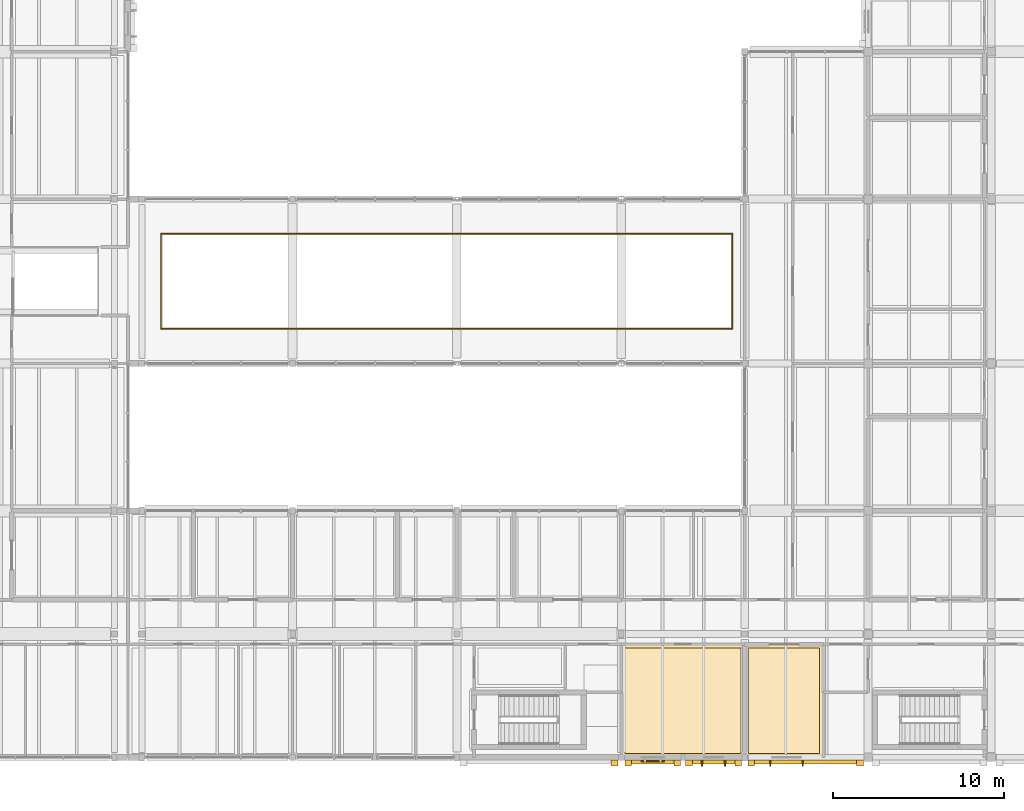
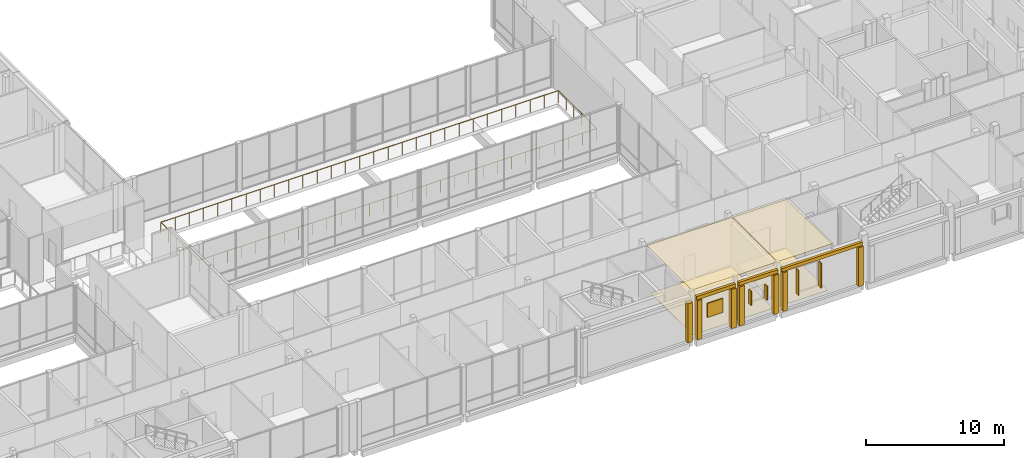
# One storey, part 138 of 146: 14 coverings, 5 shading devices, 1 railing.
"""IFC4 building model written with IfcOpenShell, lengths in metres."""

from ifc_helpers import new_model, si_unit, direction, frame, origin, origin_2d, place, context, subcontext, project, spatial, polyline, rectangle, circle, outline, extrude, material, layer, layer_set, type_object, element, save


model = new_model("IFC4")

# Units and contexts
model_context = context("Model", 3, precision=1e-05, world=origin(), true_north=direction((0.0, 1.0)))
body_context = subcontext(model_context, "Body", "Model", "MODEL_VIEW")
ifc_project = project(units=[si_unit("LENGTHUNIT", "METRE"), si_unit("AREAUNIT", "SQUARE_METRE"), si_unit("VOLUMEUNIT", "CUBIC_METRE"), si_unit("PLANEANGLEUNIT", "RADIAN"), si_unit("MASSUNIT", "GRAM", prefix="KILO")], contexts=[model_context])

# Site, building, storey
site_placement = place(None, origin())
site = spatial("IfcSite", under=ifc_project, at=site_placement, CompositionType="ELEMENT")
building_placement = place(site_placement, origin())
building = spatial("IfcBuilding", under=site, at=building_placement, Name="Hawrajan Terrace Health Centre", CompositionType="ELEMENT")
storey_placement = place(building_placement, frame((0.0, 0.0, 4.5)))
storey = spatial("IfcBuildingStorey", under=building, at=storey_placement, Name="L01", CompositionType="ELEMENT", Elevation=4.5)

# Coverings
ifc_material_1 = material(Name="Precast concrete C40/50", Category="concrete")
ifc_layer_1 = layer(ifc_material_1, 0.219970703125)
ifc_layer_set_1 = layer_set([ifc_layer_1], Name="Precast concrete C40/50")
covering_type_1 = type_object("IfcCoveringType", Name="ArtDecoCorniceBand", PredefinedType="CLADDING", material=ifc_layer_set_1)
covering_1_placement = place(storey_placement, frame((102.429931640625, 3.929931640625, 3.48974609375), z_axis=(0.0, 0.0, 1.0), x_axis=(1.0, 0.0, 0.0)))
element("IfcCovering", 1, at=covering_1_placement, inside=storey, type_object=covering_type_1, Name="Art Deco limestone cornice band CRN-L01-0081", PredefinedType="CLADDING", context=body_context, shape_type="SweptSolid", body=[
    extrude(rectangle(XDim=3.260009765625, YDim=0.219970703125, at=origin_2d()), origin(), (0.0, 0.0, 1.0), 0.300048828125),
])
covering_2_placement = place(storey_placement, frame((105.97998046875, 3.929931640625, 3.48974609375), z_axis=(0.0, 0.0, 1.0), x_axis=(1.0, 0.0, 0.0)))
element("IfcCovering", 2, at=covering_2_placement, inside=storey, type_object=covering_type_1, Name="Art Deco limestone cornice band CRN-L01-0082", PredefinedType="CLADDING", context=body_context, shape_type="SweptSolid", body=[
    extrude(rectangle(XDim=3.280029296875, YDim=0.219970703125, at=origin_2d()), origin(), (0.0, 0.0, 1.0), 0.300048828125),
])
covering_3_placement = place(storey_placement, frame((111.35498046875, 3.93994140625, 3.4501953125), z_axis=(0.0, 0.0, 1.0), x_axis=(1.0, 0.0, 0.0)))
element("IfcCovering", 3, at=covering_3_placement, inside=storey, type_object=covering_type_1, Name="Art Deco limestone cornice band CRN-L01-0083", PredefinedType="CLADDING", context=body_context, shape_type="SweptSolid", body=[
    extrude(rectangle(XDim=6.75, YDim=0.219970703125, at=origin_2d()), origin(), (0.0, 0.0, 1.0), 0.300048828125),
])
ifc_layer_2 = layer(ifc_material_1, 0.340087890625)
ifc_layer_set_2 = layer_set([ifc_layer_2], Name="Precast concrete C40/50")
covering_type_2 = type_object("IfcCoveringType", Name="ArtDecoStonePilaster", PredefinedType="CLADDING", material=ifc_layer_set_2)
for number, where, z_axis, x_axis, name in (
    (4, (100.199951171875, 3.8798828125, 0.0), (0.0, 0.0, 1.0), (1.0, 0.0, 0.0), "Art Deco fluted limestone pilaster FPIL-L01-0139"),
    (5, (101.0, 3.8701171875, 0.0), (0.0, 0.0, 1.0), (1.0, 0.0, 0.0), "Art Deco fluted limestone pilaster FPIL-L01-0140"),
    (6, (103.860107421875, 3.8701171875, 0.0), (0.0, 0.0, 1.0), (1.0, 0.0, 0.0), "Art Deco fluted limestone pilaster FPIL-L01-0141"),
    (7, (104.5400390625, 3.8701171875, 0.0), (0.0, 0.0, 1.0), (1.0, 0.0, 0.0), "Art Deco fluted limestone pilaster FPIL-L01-0142"),
    (8, (107.419921875, 3.8701171875, 0.0), (0.0, 0.0, 1.0), (1.0, 0.0, 0.0), "Art Deco fluted limestone pilaster FPIL-L01-0143"),
):
    element("IfcCovering", number, at=place(storey_placement, frame(where, z_axis=z_axis, x_axis=x_axis)), inside=storey, type_object=covering_type_2, Name=name, PredefinedType="CLADDING", context=body_context, shape_type="SweptSolid", body=[
        extrude(rectangle(XDim=0.39990234375, YDim=0.340087890625, at=origin_2d()), origin(), (0.0, 0.0, 1.0), 3.47998046875),
    ])
for number, where, z_axis, x_axis, name in (
    (9, (108.179931640625, 3.8798828125, 0.0), (0.0, 0.0, 1.0), (1.0, 0.0, 0.0), "Art Deco fluted limestone pilaster FPIL-L01-0144"),
    (10, (114.530029296875, 3.8798828125, 0.0), (0.0, 0.0, 1.0), (1.0, 0.0, 0.0), "Art Deco fluted limestone pilaster FPIL-L01-0145"),
):
    element("IfcCovering", number, at=place(storey_placement, frame(where, z_axis=z_axis, x_axis=x_axis)), inside=storey, type_object=covering_type_2, Name=name, PredefinedType="CLADDING", context=body_context, shape_type="SweptSolid", body=[
        extrude(rectangle(XDim=0.39990234375, YDim=0.340087890625, at=origin_2d()), origin(), (0.0, 0.0, 1.0), 3.43994140625),
    ])

# Railing
ifc_material_2 = material(Name="Anodized bronze and laminated glass balustrade", Category="glass")
railing_type = type_object("IfcRailingType", Name="AtriumBalustrade_1120", PredefinedType="BALUSTRADE", material=ifc_material_2)
railing_placement = place(storey_placement, frame((73.719970703125, 29.219970703125, 0.0)))
element("IfcRailing", 11, at=railing_placement, inside=storey, type_object=railing_type, Name="Waiting Hall atrium gallery balustrade 2", PredefinedType="BALUSTRADE", context=body_context, shape_type="SweptSolid", body=[
    extrude(circle(Radius=0.02392578125, at=origin_2d()), frame((0.02880859375, 0.0, 1.09619140625), z_axis=(1.0, 0.0, 0.0), x_axis=(0.0, 1.0, 0.0)), (0.0, 0.0, 1.0), 33.302490234375),
    extrude(circle(Radius=0.02392578125, at=origin_2d()), frame((33.360107421875, 0.02880859375, 1.09619140625), z_axis=(0.0, 1.0, 0.0), x_axis=(-1.0, 0.0, 0.0)), (0.0, 0.0, 1.0), 5.50244140625),
    extrude(circle(Radius=0.02392578125, at=origin_2d()), frame((33.331298828125, 5.56005859375, 1.09619140625), z_axis=(-1.0, 0.0, 0.0), x_axis=(0.0, -1.0, 0.0)), (0.0, 0.0, 1.0), 33.302490234375),
    extrude(circle(Radius=0.02392578125, at=origin_2d()), frame((0.0, 5.53125, 1.09619140625), z_axis=(0.0, -1.0, 0.0), x_axis=(1.0, 0.0, 0.0)), (0.0, 0.0, 1.0), 5.50244140625),
    extrude(circle(Radius=0.02099609375, at=origin_2d()), origin(), (0.0, 0.0, 1.0), 1.067138671875),
    extrude(circle(Radius=0.02099609375, at=origin_2d()), frame((1.19140625, 0.0, 0.0)), (0.0, 0.0, 1.0), 1.067138671875),
    extrude(circle(Radius=0.02099609375, at=origin_2d()), frame((2.3828125, 0.0, 0.0)), (0.0, 0.0, 1.0), 1.067138671875),
    extrude(circle(Radius=0.02099609375, at=origin_2d()), frame((3.57421875, 0.0, 0.0)), (0.0, 0.0, 1.0), 1.067138671875),
    extrude(circle(Radius=0.02099609375, at=origin_2d()), frame((4.765625, 0.0, 0.0)), (0.0, 0.0, 1.0), 1.067138671875),
    extrude(circle(Radius=0.02099609375, at=origin_2d()), frame((5.957275390625, 0.0, 0.0)), (0.0, 0.0, 1.0), 1.067138671875),
    extrude(circle(Radius=0.02099609375, at=origin_2d()), frame((7.148681640625, 0.0, 0.0)), (0.0, 0.0, 1.0), 1.067138671875),
    extrude(circle(Radius=0.02099609375, at=origin_2d()), frame((8.340087890625, 0.0, 0.0)), (0.0, 0.0, 1.0), 1.067138671875),
    extrude(circle(Radius=0.02099609375, at=origin_2d()), frame((9.531494140625, 0.0, 0.0)), (0.0, 0.0, 1.0), 1.067138671875),
    extrude(circle(Radius=0.02099609375, at=origin_2d()), frame((10.722900390625, 0.0, 0.0)), (0.0, 0.0, 1.0), 1.067138671875),
    extrude(circle(Radius=0.02099609375, at=origin_2d()), frame((11.914306640625, 0.0, 0.0)), (0.0, 0.0, 1.0), 1.067138671875),
    extrude(circle(Radius=0.02099609375, at=origin_2d()), frame((13.105712890625, 0.0, 0.0)), (0.0, 0.0, 1.0), 1.067138671875),
    extrude(circle(Radius=0.02099609375, at=origin_2d()), frame((14.297119140625, 0.0, 0.0)), (0.0, 0.0, 1.0), 1.067138671875),
    extrude(circle(Radius=0.02099609375, at=origin_2d()), frame((15.488525390625, 0.0, 0.0)), (0.0, 0.0, 1.0), 1.067138671875),
    extrude(circle(Radius=0.02099609375, at=origin_2d()), frame((16.68017578125, 0.0, 0.0)), (0.0, 0.0, 1.0), 1.067138671875),
    extrude(circle(Radius=0.02099609375, at=origin_2d()), frame((17.87158203125, 0.0, 0.0)), (0.0, 0.0, 1.0), 1.067138671875),
    extrude(circle(Radius=0.02099609375, at=origin_2d()), frame((19.06298828125, 0.0, 0.0)), (0.0, 0.0, 1.0), 1.067138671875),
    extrude(circle(Radius=0.02099609375, at=origin_2d()), frame((20.25439453125, 0.0, 0.0)), (0.0, 0.0, 1.0), 1.067138671875),
    extrude(circle(Radius=0.02099609375, at=origin_2d()), frame((21.44580078125, 0.0, 0.0)), (0.0, 0.0, 1.0), 1.067138671875),
    extrude(circle(Radius=0.02099609375, at=origin_2d()), frame((22.63720703125, 0.0, 0.0)), (0.0, 0.0, 1.0), 1.067138671875),
    extrude(circle(Radius=0.02099609375, at=origin_2d()), frame((23.82861328125, 0.0, 0.0)), (0.0, 0.0, 1.0), 1.067138671875),
    extrude(circle(Radius=0.02099609375, at=origin_2d()), frame((25.02001953125, 0.0, 0.0)), (0.0, 0.0, 1.0), 1.067138671875),
    extrude(circle(Radius=0.02099609375, at=origin_2d()), frame((26.21142578125, 0.0, 0.0)), (0.0, 0.0, 1.0), 1.067138671875),
    extrude(circle(Radius=0.02099609375, at=origin_2d()), frame((27.40283203125, 0.0, 0.0)), (0.0, 0.0, 1.0), 1.067138671875),
    extrude(circle(Radius=0.02099609375, at=origin_2d()), frame((28.594482421875, 0.0, 0.0)), (0.0, 0.0, 1.0), 1.067138671875),
    extrude(circle(Radius=0.02099609375, at=origin_2d()), frame((29.785888671875, 0.0, 0.0)), (0.0, 0.0, 1.0), 1.067138671875),
    extrude(circle(Radius=0.02099609375, at=origin_2d()), frame((30.977294921875, 0.0, 0.0)), (0.0, 0.0, 1.0), 1.067138671875),
    extrude(circle(Radius=0.02099609375, at=origin_2d()), frame((32.168701171875, 0.0, 0.0)), (0.0, 0.0, 1.0), 1.067138671875),
    extrude(circle(Radius=0.02099609375, at=origin_2d()), frame((33.360107421875, 0.0, 0.0)), (0.0, 0.0, 1.0), 1.067138671875),
    extrude(circle(Radius=0.02099609375, at=origin_2d()), frame((33.360107421875, 1.112060546875, 0.0)), (0.0, 0.0, 1.0), 1.067138671875),
    extrude(circle(Radius=0.02099609375, at=origin_2d()), frame((33.360107421875, 2.22412109375, 0.0)), (0.0, 0.0, 1.0), 1.067138671875),
    extrude(circle(Radius=0.02099609375, at=origin_2d()), frame((33.360107421875, 3.3359375, 0.0)), (0.0, 0.0, 1.0), 1.067138671875),
    extrude(circle(Radius=0.02099609375, at=origin_2d()), frame((33.360107421875, 4.447998046875, 0.0)), (0.0, 0.0, 1.0), 1.067138671875),
    extrude(circle(Radius=0.02099609375, at=origin_2d()), frame((33.360107421875, 5.56005859375, 0.0)), (0.0, 0.0, 1.0), 1.067138671875),
    extrude(circle(Radius=0.02099609375, at=origin_2d()), frame((32.168701171875, 5.56005859375, 0.0)), (0.0, 0.0, 1.0), 1.067138671875),
    extrude(circle(Radius=0.02099609375, at=origin_2d()), frame((30.977294921875, 5.56005859375, 0.0)), (0.0, 0.0, 1.0), 1.067138671875),
    extrude(circle(Radius=0.02099609375, at=origin_2d()), frame((29.785888671875, 5.56005859375, 0.0)), (0.0, 0.0, 1.0), 1.067138671875),
    extrude(circle(Radius=0.02099609375, at=origin_2d()), frame((28.594482421875, 5.56005859375, 0.0)), (0.0, 0.0, 1.0), 1.067138671875),
    extrude(circle(Radius=0.02099609375, at=origin_2d()), frame((27.40283203125, 5.56005859375, 0.0)), (0.0, 0.0, 1.0), 1.067138671875),
    extrude(circle(Radius=0.02099609375, at=origin_2d()), frame((26.21142578125, 5.56005859375, 0.0)), (0.0, 0.0, 1.0), 1.067138671875),
    extrude(circle(Radius=0.02099609375, at=origin_2d()), frame((25.02001953125, 5.56005859375, 0.0)), (0.0, 0.0, 1.0), 1.067138671875),
    extrude(circle(Radius=0.02099609375, at=origin_2d()), frame((23.82861328125, 5.56005859375, 0.0)), (0.0, 0.0, 1.0), 1.067138671875),
    extrude(circle(Radius=0.02099609375, at=origin_2d()), frame((22.63720703125, 5.56005859375, 0.0)), (0.0, 0.0, 1.0), 1.067138671875),
    extrude(circle(Radius=0.02099609375, at=origin_2d()), frame((21.44580078125, 5.56005859375, 0.0)), (0.0, 0.0, 1.0), 1.067138671875),
    extrude(circle(Radius=0.02099609375, at=origin_2d()), frame((20.25439453125, 5.56005859375, 0.0)), (0.0, 0.0, 1.0), 1.067138671875),
    extrude(circle(Radius=0.02099609375, at=origin_2d()), frame((19.06298828125, 5.56005859375, 0.0)), (0.0, 0.0, 1.0), 1.067138671875),
    extrude(circle(Radius=0.02099609375, at=origin_2d()), frame((17.87158203125, 5.56005859375, 0.0)), (0.0, 0.0, 1.0), 1.067138671875),
    extrude(circle(Radius=0.02099609375, at=origin_2d()), frame((16.68017578125, 5.56005859375, 0.0)), (0.0, 0.0, 1.0), 1.067138671875),
    extrude(circle(Radius=0.02099609375, at=origin_2d()), frame((15.488525390625, 5.56005859375, 0.0)), (0.0, 0.0, 1.0), 1.067138671875),
    extrude(circle(Radius=0.02099609375, at=origin_2d()), frame((14.297119140625, 5.56005859375, 0.0)), (0.0, 0.0, 1.0), 1.067138671875),
    extrude(circle(Radius=0.02099609375, at=origin_2d()), frame((13.105712890625, 5.56005859375, 0.0)), (0.0, 0.0, 1.0), 1.067138671875),
    extrude(circle(Radius=0.02099609375, at=origin_2d()), frame((11.914306640625, 5.56005859375, 0.0)), (0.0, 0.0, 1.0), 1.067138671875),
    extrude(circle(Radius=0.02099609375, at=origin_2d()), frame((10.722900390625, 5.56005859375, 0.0)), (0.0, 0.0, 1.0), 1.067138671875),
    extrude(circle(Radius=0.02099609375, at=origin_2d()), frame((9.531494140625, 5.56005859375, 0.0)), (0.0, 0.0, 1.0), 1.067138671875),
    extrude(circle(Radius=0.02099609375, at=origin_2d()), frame((8.340087890625, 5.56005859375, 0.0)), (0.0, 0.0, 1.0), 1.067138671875),
    extrude(circle(Radius=0.02099609375, at=origin_2d()), frame((7.148681640625, 5.56005859375, 0.0)), (0.0, 0.0, 1.0), 1.067138671875),
    extrude(circle(Radius=0.02099609375, at=origin_2d()), frame((5.957275390625, 5.56005859375, 0.0)), (0.0, 0.0, 1.0), 1.067138671875),
    extrude(circle(Radius=0.02099609375, at=origin_2d()), frame((4.765625, 5.56005859375, 0.0)), (0.0, 0.0, 1.0), 1.067138671875),
    extrude(circle(Radius=0.02099609375, at=origin_2d()), frame((3.57421875, 5.56005859375, 0.0)), (0.0, 0.0, 1.0), 1.067138671875),
    extrude(circle(Radius=0.02099609375, at=origin_2d()), frame((2.3828125, 5.56005859375, 0.0)), (0.0, 0.0, 1.0), 1.067138671875),
    extrude(circle(Radius=0.02099609375, at=origin_2d()), frame((1.19140625, 5.56005859375, 0.0)), (0.0, 0.0, 1.0), 1.067138671875),
    extrude(circle(Radius=0.02099609375, at=origin_2d()), frame((0.0, 5.56005859375, 0.0)), (0.0, 0.0, 1.0), 1.067138671875),
    extrude(circle(Radius=0.02099609375, at=origin_2d()), frame((0.0, 4.447998046875, 0.0)), (0.0, 0.0, 1.0), 1.067138671875),
    extrude(circle(Radius=0.02099609375, at=origin_2d()), frame((0.0, 3.3359375, 0.0)), (0.0, 0.0, 1.0), 1.067138671875),
    extrude(circle(Radius=0.02099609375, at=origin_2d()), frame((0.0, 2.22412109375, 0.0)), (0.0, 0.0, 1.0), 1.067138671875),
    extrude(circle(Radius=0.02099609375, at=origin_2d()), frame((0.0, 1.112060546875, 0.0)), (0.0, 0.0, 1.0), 1.067138671875),
])

# Coverings
ifc_material_3 = material(Name="Hygienic mineral-fibre acoustic tile ceiling")
ifc_layer_3 = layer(ifc_material_3, 0.02490234375)
ifc_layer_set_3 = layer_set([ifc_layer_3], Name="Hygienic mineral-fibre acoustic tile ceiling")
covering_type_3 = type_object("IfcCoveringType", Name="ClinicalAcousticCeiling_25", PredefinedType="CEILING", material=ifc_layer_set_3)
covering_4_placement = place(storey_placement, frame((0.0, 0.0, 4.155029296875)))
element("IfcCovering", 12, at=covering_4_placement, inside=storey, type_object=covering_type_3, Name="Suspended ceiling L01-123", PredefinedType="CEILING", context=body_context, shape_type="SweptSolid", body=[
    extrude(outline(polyline([(100.6201171875, 10.780029296875), (107.780029296875, 10.780029296875), (107.780029296875, 4.219970703125), (100.6201171875, 4.219970703125), (100.6201171875, 10.780029296875)])), origin(), (0.0, 0.0, 1.0), 0.02490234375),
])
covering_5_placement = place(storey_placement, frame((0.0, 0.0, 4.155029296875)))
element("IfcCovering", 13, at=covering_5_placement, inside=storey, type_object=covering_type_3, Name="Suspended ceiling L01-126", PredefinedType="CEILING", context=body_context, shape_type="SweptSolid", body=[
    extrude(outline(polyline([(107.820068359375, 10.780029296875), (112.3798828125, 10.780029296875), (112.3798828125, 4.219970703125), (107.820068359375, 4.219970703125), (107.820068359375, 10.780029296875)])), origin(), (0.0, 0.0, 1.0), 0.02490234375),
])
ifc_material_4 = material(Name="Seamless medical-grade cushioned vinyl flooring")
ifc_layer_4 = layer(ifc_material_4, 0.011962890625)
ifc_layer_set_4 = layer_set([ifc_layer_4], Name="Seamless medical-grade cushioned vinyl flooring")
covering_type_4 = type_object("IfcCoveringType", Name="ClinicalVinylFlooring_12", PredefinedType="FLOORING", material=ifc_layer_set_4)
covering_6_placement = place(storey_placement, origin())
element("IfcCovering", 14, at=covering_6_placement, inside=storey, type_object=covering_type_4, Name="Floor finish L01-123", PredefinedType="FLOORING", context=body_context, shape_type="SweptSolid", body=[
    extrude(outline(polyline([(100.820068359375, 10.580078125), (107.580078125, 10.580078125), (107.580078125, 4.419921875), (100.820068359375, 4.419921875), (100.820068359375, 10.580078125)])), origin(), (0.0, 0.0, 1.0), 0.011962890625),
])
covering_7_placement = place(storey_placement, origin())
element("IfcCovering", 15, at=covering_7_placement, inside=storey, type_object=covering_type_4, Name="Floor finish L01-126", PredefinedType="FLOORING", context=body_context, shape_type="SweptSolid", body=[
    extrude(outline(polyline([(108.02001953125, 10.580078125), (112.179931640625, 10.580078125), (112.179931640625, 4.419921875), (108.02001953125, 4.419921875), (108.02001953125, 10.580078125)])), origin(), (0.0, 0.0, 1.0), 0.011962890625),
])

# Shading devices
ifc_material_5 = material(Name="Anodized bronze mashrabiya vertical solar fin")
ifc_layer_5 = layer(ifc_material_5, 0.080078125)
ifc_layer_set_5 = layer_set([ifc_layer_5], Name="Anodized bronze mashrabiya vertical solar fin")
shading_device_type_1 = type_object("IfcShadingDeviceType", Name="MashrabiyaVerticalFin", PredefinedType="USERDEFINED", material=ifc_layer_set_5)
for number, where, z_axis, x_axis, name in (
    (16, (105.31494140625, 3.860107421875, 1.5), (0.0, 0.0, 1.0), (1.0, 0.0, 0.0), "Bronze mashrabiya solar fin FIN-L01-0097"),
    (17, (106.64501953125, 3.860107421875, 1.5), (0.0, 0.0, 1.0), (1.0, 0.0, 0.0), "Bronze mashrabiya solar fin FIN-L01-0098"),
):
    element("IfcShadingDevice", number, at=place(storey_placement, frame(where, z_axis=z_axis, x_axis=x_axis)), inside=storey, type_object=shading_device_type_1, Name=name, ObjectType="SOLAR_FIN", PredefinedType="USERDEFINED", context=body_context, shape_type="SweptSolid", body=[
        extrude(rectangle(XDim=0.080078125, YDim=0.360107421875, at=origin_2d()), origin(), (0.0, 0.0, 1.0), 1.25),
    ])
for number, where, z_axis, x_axis, name in (
    (18, (109.2900390625, 3.8701171875, 1.0), (0.0, 0.0, 1.0), (1.0, 0.0, 0.0), "Bronze mashrabiya solar fin FIN-L01-0099"),
    (19, (111.18994140625, 3.8701171875, 1.0), (0.0, 0.0, 1.0), (1.0, 0.0, 0.0), "Bronze mashrabiya solar fin FIN-L01-0100"),
):
    element("IfcShadingDevice", number, at=place(storey_placement, frame(where, z_axis=z_axis, x_axis=x_axis)), inside=storey, type_object=shading_device_type_1, Name=name, ObjectType="SOLAR_FIN", PredefinedType="USERDEFINED", context=body_context, shape_type="SweptSolid", body=[
        extrude(rectangle(XDim=0.080078125, YDim=0.360107421875, at=origin_2d()), origin(), (0.0, 0.0, 1.0), 2.199951171875),
    ])
ifc_material_6 = material(Name="Anodized bronze and cedar roshan lattice")
ifc_layer_6 = layer(ifc_material_6, 0.080078125)
ifc_layer_set_6 = layer_set([ifc_layer_6], Name="Anodized bronze and cedar roshan lattice")
shading_device_type_2 = type_object("IfcShadingDeviceType", Name="RoshanScreen_BronzeCedar", PredefinedType="JALOUSIE", material=ifc_layer_set_6)
shading_device_placement = place(storey_placement, frame((102.429931640625, 3.9951171875, 1.5), z_axis=(0.0, 0.0, 1.0), x_axis=(1.0, 0.0, 0.0)))
element("IfcShadingDevice", 20, at=shading_device_placement, inside=storey, type_object=shading_device_type_2, Name="Hijazi roshan solar screen RSH-L01-096", PredefinedType="JALOUSIE", context=body_context, shape_type="SweptSolid", body=[
    extrude(rectangle(XDim=1.320068359375, YDim=0.080078125, at=origin_2d()), origin(), (0.0, 0.0, 1.0), 1.25),
])

save(model, "model.ifc")
